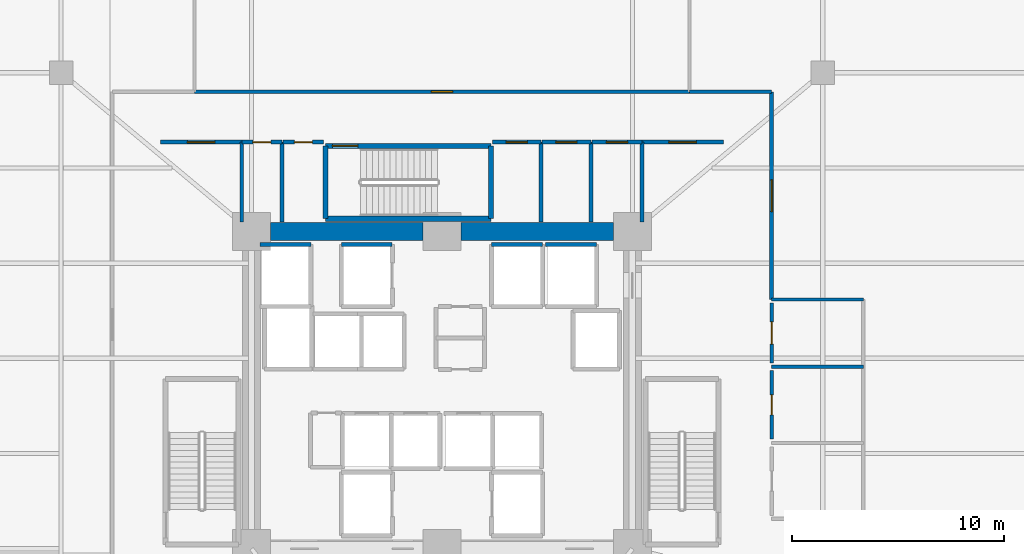
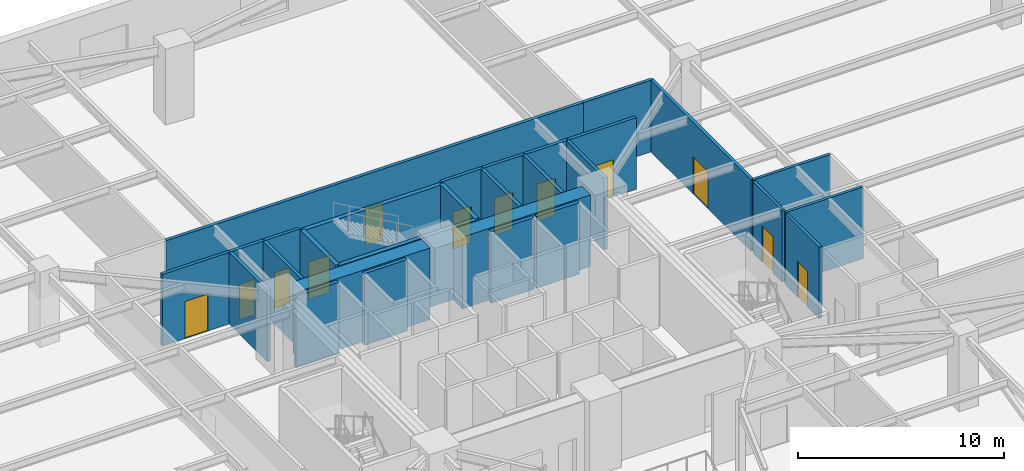
# One storey, part 10 of 19: 29 walls, 12 doors, 12 openings.
"""IFC4 building model written with IfcOpenShell, lengths in metres."""

from ifc_helpers import new_model, si_unit, direction, frame, frame_2d, origin, place, context, subcontext, project, spatial, rectangle, extrude, source, transform, mapped, material, layer, layer_set, type_object, element, fill, save


model = new_model("IFC4")

# Units and contexts
model_context = context("Model", 3, precision=1e-05, world=origin(), true_north=direction((0.0, 1.0)))
body_context = subcontext(model_context, "Body", "Model", "MODEL_VIEW")
ifc_project = project(units=[si_unit("LENGTHUNIT", "METRE"), si_unit("AREAUNIT", "SQUARE_METRE"), si_unit("VOLUMEUNIT", "CUBIC_METRE"), si_unit("PLANEANGLEUNIT", "RADIAN"), si_unit("MASSUNIT", "GRAM", prefix="KILO")], contexts=[model_context])

# Site, building, storey
site_placement = place(None, origin())
site = spatial("IfcSite", under=ifc_project, at=site_placement, CompositionType="ELEMENT")
building_placement = place(site_placement, origin())
building = spatial("IfcBuilding", under=site, at=building_placement, Name="Liaohun Quay Tower", CompositionType="ELEMENT")
storey_placement = place(building_placement, frame((0.0, 0.0, 9.89990234375)))
storey = spatial("IfcBuildingStorey", under=building, at=storey_placement, Name="L03", CompositionType="ELEMENT", Elevation=9.89990234375)

# Walls
ifc_material_1 = material(Name="Concrete C60", Category="concrete")
ifc_layer_1 = layer(ifc_material_1, 0.85009765625, Name="Concrete C60", Category="concrete")
ifc_layer_set_1 = layer_set([ifc_layer_1], Name="Concrete C60")
wall_type_1 = type_object("IfcWallType", Name="WAL-COR-Z1", PredefinedType="SHEAR", material=ifc_layer_set_1)
for number, where, z_axis, x_axis, name in (
    (1, (51.89990234375, 61.5, 0.0), (0.0, 0.0, 1.0), (1.0, 0.0, 0.0), "L03 Central Core Shear Wall N-W"),
    (2, (60.89990234375, 61.5, 0.0), (0.0, 0.0, 1.0), (1.0, 0.0, 0.0), "L03 Central Core Shear Wall N-E"),
):
    element("IfcWall", number, at=place(storey_placement, frame(where, z_axis=z_axis, x_axis=x_axis)), inside=storey, type_object=wall_type_1, Name=name, PredefinedType="SHEAR", context=body_context, shape_type="SweptSolid", body=[
        extrude(rectangle(XDim=7.2001953125, YDim=0.85009765625, at=frame_2d((3.60009765625, 0.0))), origin(), (0.0, 0.0, 1.0), 4.25),
    ])

# Wall, opening, door
ifc_material_2 = material(Name="Autoclaved aerated concrete blockwork", Category="masonry")
ifc_layer_2 = layer(ifc_material_2, 0.179931640625, Name="Autoclaved aerated concrete blockwork", Category="masonry")
ifc_layer_set_2 = layer_set([ifc_layer_2], Name="Autoclaved aerated concrete blockwork")
wall_type_2 = type_object("IfcWallType", Name="WAL-PRT-COR", PredefinedType="PARTITIONING", material=ifc_layer_set_2)
wall_1_placement = place(storey_placement, frame((50.5400390625, 65.719970703125, 0.0), z_axis=(0.0, 0.0, 1.0), x_axis=(1.0, 0.0, 0.0)))
wall_1 = element("IfcWall", 3, at=wall_1_placement, inside=storey, type_object=wall_type_2, Name="L03 Interior Partition Wall 007", PredefinedType="PARTITIONING", context=body_context, shape_type="SweptSolid", body=[
    extrude(rectangle(XDim=1.89990234375, YDim=0.179931640625, at=frame_2d((0.949951171875, 0.0))), origin(), (0.0, 0.0, 1.0), 4.25),
])
shared_shape_1 = source(origin(), body_context, "Body", "SweptSolid", [
    extrude(rectangle(XDim=0.85009765625, YDim=2.10009765625, at=frame_2d((0.425048828125, 1.050048828125))), frame((0.0, 0.099853515625, 0.0), z_axis=(0.0, -1.0, 0.0), x_axis=(1.0, 0.0, 0.0)), (0.0, 0.0, 1.0), 0.199951171875),
])
opening_1_placement = place(wall_1_placement, frame((0.52490234375, 0.0, 0.0)))
opening_1 = element("IfcOpeningElement", 4, at=opening_1_placement, cuts=wall_1, Name="Opening AD1", PredefinedType="OPENING", context=body_context, shape_type="MappedRepresentation", body=[
    mapped(shared_shape_1, transform((0.0, 0.0, 0.0), x_axis=(1.0, 0.0, 0.0), y_axis=(0.0, 1.0, 0.0), z_axis=(0.0, 0.0, 1.0), scale=1.0)),
])
ifc_material_3 = material(Name="Steel riser inspection fire door", Category="steel")
door_type_1 = type_object("IfcDoorType", Name="DOR-SHF-850", OperationType="NOTDEFINED", PredefinedType="DOOR", material=ifc_material_3)
shared_shape_2 = source(origin(), body_context, "Body", "SweptSolid", [
    extrude(rectangle(XDim=0.85009765625, YDim=2.10009765625, at=frame_2d((0.425048828125, 1.050048828125))), frame((0.0, 0.02490234375, 0.0), z_axis=(0.0, -1.0, 0.0), x_axis=(1.0, 0.0, 0.0)), (0.0, 0.0, 1.0), 0.050048828125),
])
door_1_placement = place(opening_1_placement, origin())
door_1 = element("IfcDoor", 5, at=door_1_placement, inside=storey, type_object=door_type_1, Name="L03 Podium Riser Closet Door", OperationType="SINGLE_SWING_RIGHT", OverallHeight=2.10009765625, OverallWidth=0.85009765625, PredefinedType="DOOR", context=body_context, shape_type="MappedRepresentation", body=[
    mapped(shared_shape_2, transform((0.0, 0.0, 0.0), x_axis=(1.0, 0.0, 0.0), y_axis=(0.0, 1.0, 0.0), z_axis=(0.0, 0.0, 1.0), scale=1.0)),
])
fill(opening_1, door_1)

wall_2_placement = place(storey_placement, frame((52.47998046875, 65.719970703125, 0.0), z_axis=(0.0, 0.0, 1.0), x_axis=(1.0, 0.0, 0.0)))
wall_2 = element("IfcWall", 6, at=wall_2_placement, inside=storey, type_object=wall_type_2, Name="L03 Interior Partition Wall 008", PredefinedType="PARTITIONING", context=body_context, shape_type="SweptSolid", body=[
    extrude(rectangle(XDim=1.929931640625, YDim=0.179931640625, at=frame_2d((0.96484375, 0.0))), origin(), (0.0, 0.0, 1.0), 4.25),
])
opening_2_placement = place(wall_2_placement, frame((0.5400390625, 0.0, 0.0)))
opening_2 = element("IfcOpeningElement", 7, at=opening_2_placement, cuts=wall_2, Name="Opening AD1", PredefinedType="OPENING", context=body_context, shape_type="MappedRepresentation", body=[
    mapped(shared_shape_1, transform((0.0, 0.0, 0.0), x_axis=(1.0, 0.0, 0.0), y_axis=(0.0, 1.0, 0.0), z_axis=(0.0, 0.0, 1.0), scale=1.0)),
])
door_2_placement = place(opening_2_placement, origin())
door_2 = element("IfcDoor", 8, at=door_2_placement, inside=storey, type_object=door_type_1, Name="L03 Podium Print Closet Door", OperationType="SINGLE_SWING_LEFT", OverallHeight=2.10009765625, OverallWidth=0.85009765625, PredefinedType="DOOR", context=body_context, shape_type="MappedRepresentation", body=[
    mapped(shared_shape_2, transform((0.0, 0.0, 0.0), x_axis=(1.0, 0.0, 0.0), y_axis=(0.0, 1.0, 0.0), z_axis=(0.0, 0.0, 1.0), scale=1.0)),
])
fill(opening_2, door_2)

wall_3_placement = place(storey_placement, frame((62.389892578125, 65.719970703125, 0.0), z_axis=(0.0, 0.0, 1.0), x_axis=(1.0, 0.0, 0.0)))
wall_3 = element("IfcWall", 9, at=wall_3_placement, inside=storey, type_object=wall_type_2, Name="L03 Interior Partition Wall 009", PredefinedType="PARTITIONING", context=body_context, shape_type="SweptSolid", body=[
    extrude(rectangle(XDim=2.2900390625, YDim=0.179931640625, at=frame_2d((1.14501953125, 0.0))), origin(), (0.0, 0.0, 1.0), 4.25),
])
shared_shape_3 = source(origin(), body_context, "Body", "SweptSolid", [
    extrude(rectangle(XDim=1.0, YDim=2.199951171875, at=frame_2d((0.5, 1.10009765625))), frame((0.0, 0.099853515625, 0.0), z_axis=(0.0, -1.0, 0.0), x_axis=(1.0, 0.0, 0.0)), (0.0, 0.0, 1.0), 0.199951171875),
])
opening_3_placement = place(wall_3_placement, frame((0.64501953125, 0.0, 0.0)))
opening_3 = element("IfcOpeningElement", 10, at=opening_3_placement, cuts=wall_3, Name="Opening OD1", PredefinedType="OPENING", context=body_context, shape_type="MappedRepresentation", body=[
    mapped(shared_shape_3, transform((0.0, 0.0, 0.0), x_axis=(1.0, 0.0, 0.0), y_axis=(0.0, 1.0, 0.0), z_axis=(0.0, 0.0, 1.0), scale=1.0)),
])
ifc_material_4 = material(Name="Solid-core oak veneer timber leaf in steel frame", Category="steel")
door_type_2 = type_object("IfcDoorType", Name="DOR-OFF-1000", OperationType="NOTDEFINED", PredefinedType="DOOR", material=ifc_material_4)
shared_shape_4 = source(origin(), body_context, "Body", "SweptSolid", [
    extrude(rectangle(XDim=1.0, YDim=2.199951171875, at=frame_2d((0.5, 1.10009765625))), frame((0.0, 0.02490234375, 0.0), z_axis=(0.0, -1.0, 0.0), x_axis=(1.0, 0.0, 0.0)), (0.0, 0.0, 1.0), 0.050048828125),
])
door_3_placement = place(opening_3_placement, origin())
door_3 = element("IfcDoor", 11, at=door_3_placement, inside=storey, type_object=door_type_2, Name="L03 Podium Mail Store Door", OperationType="SINGLE_SWING_RIGHT", OverallHeight=2.199951171875, OverallWidth=1.0, PredefinedType="DOOR", context=body_context, shape_type="MappedRepresentation", body=[
    mapped(shared_shape_4, transform((0.0, 0.0, 0.0), x_axis=(1.0, 0.0, 0.0), y_axis=(0.0, 1.0, 0.0), z_axis=(0.0, 0.0, 1.0), scale=1.0)),
])
fill(opening_3, door_3)

wall_4_placement = place(storey_placement, frame((64.719970703125, 65.719970703125, 0.0), z_axis=(0.0, 0.0, 1.0), x_axis=(1.0, 0.0, 0.0)))
wall_4 = element("IfcWall", 12, at=wall_4_placement, inside=storey, type_object=wall_type_2, Name="L03 Interior Partition Wall 010", PredefinedType="PARTITIONING", context=body_context, shape_type="SweptSolid", body=[
    extrude(rectangle(XDim=2.320068359375, YDim=0.179931640625, at=frame_2d((1.16015625, 0.0))), origin(), (0.0, 0.0, 1.0), 4.25),
])
opening_4_placement = place(wall_4_placement, frame((0.659912109375, 0.0, 0.0)))
opening_4 = element("IfcOpeningElement", 13, at=opening_4_placement, cuts=wall_4, Name="Opening OD1", PredefinedType="OPENING", context=body_context, shape_type="MappedRepresentation", body=[
    mapped(shared_shape_3, transform((0.0, 0.0, 0.0), x_axis=(1.0, 0.0, 0.0), y_axis=(0.0, 1.0, 0.0), z_axis=(0.0, 0.0, 1.0), scale=1.0)),
])
door_4_placement = place(opening_4_placement, origin())
door_4 = element("IfcDoor", 14, at=door_4_placement, inside=storey, type_object=door_type_2, Name="L03 Podium Comms Room Door", OperationType="SINGLE_SWING_LEFT", OverallHeight=2.199951171875, OverallWidth=1.0, PredefinedType="DOOR", context=body_context, shape_type="MappedRepresentation", body=[
    mapped(shared_shape_4, transform((0.0, 0.0, 0.0), x_axis=(1.0, 0.0, 0.0), y_axis=(0.0, 1.0, 0.0), z_axis=(0.0, 0.0, 1.0), scale=1.0)),
])
fill(opening_4, door_4)

wall_5_placement = place(storey_placement, frame((67.080078125, 65.719970703125, 0.0), z_axis=(0.0, 0.0, 1.0), x_axis=(1.0, 0.0, 0.0)))
wall_5 = element("IfcWall", 15, at=wall_5_placement, inside=storey, type_object=wall_type_2, Name="L03 Interior Partition Wall 011", PredefinedType="PARTITIONING", context=body_context, shape_type="SweptSolid", body=[
    extrude(rectangle(XDim=2.3798828125, YDim=0.179931640625, at=frame_2d((1.18994140625, 0.0))), origin(), (0.0, 0.0, 1.0), 4.25),
])
opening_5_placement = place(wall_5_placement, frame((0.68994140625, 0.0, 0.0)))
opening_5 = element("IfcOpeningElement", 16, at=opening_5_placement, cuts=wall_5, Name="Opening OD1", PredefinedType="OPENING", context=body_context, shape_type="MappedRepresentation", body=[
    mapped(shared_shape_3, transform((0.0, 0.0, 0.0), x_axis=(1.0, 0.0, 0.0), y_axis=(0.0, 1.0, 0.0), z_axis=(0.0, 0.0, 1.0), scale=1.0)),
])
door_5_placement = place(opening_5_placement, origin())
door_5 = element("IfcDoor", 17, at=door_5_placement, inside=storey, type_object=door_type_2, Name="L03 Podium Cleaner Store Door", OperationType="SINGLE_SWING_RIGHT", OverallHeight=2.199951171875, OverallWidth=1.0, PredefinedType="DOOR", context=body_context, shape_type="MappedRepresentation", body=[
    mapped(shared_shape_4, transform((0.0, 0.0, 0.0), x_axis=(1.0, 0.0, 0.0), y_axis=(0.0, 1.0, 0.0), z_axis=(0.0, 0.0, 1.0), scale=1.0)),
])
fill(opening_5, door_5)

wall_6_placement = place(storey_placement, frame((46.699951171875, 65.719970703125, 0.0), z_axis=(0.0, 0.0, 1.0), x_axis=(1.0, 0.0, 0.0)))
wall_6 = element("IfcWall", 18, at=wall_6_placement, inside=storey, type_object=wall_type_2, Name="L03 Interior Partition Wall 012", PredefinedType="PARTITIONING", context=body_context, shape_type="SweptSolid", body=[
    extrude(rectangle(XDim=3.840087890625, YDim=0.179931640625, at=frame_2d((1.919921875, 0.0))), origin(), (0.0, 0.0, 1.0), 4.25),
])
shared_shape_5 = source(origin(), body_context, "Body", "SweptSolid", [
    extrude(rectangle(XDim=1.300048828125, YDim=2.199951171875, at=frame_2d((0.64990234375, 1.10009765625))), frame((0.0, 0.099853515625, 0.0), z_axis=(0.0, -1.0, 0.0), x_axis=(1.0, 0.0, 0.0)), (0.0, 0.0, 1.0), 0.199951171875),
])
opening_6_placement = place(wall_6_placement, frame((1.27001953125, 0.0, 0.0)))
opening_6 = element("IfcOpeningElement", 19, at=opening_6_placement, cuts=wall_6, Name="Opening FD1", PredefinedType="OPENING", context=body_context, shape_type="MappedRepresentation", body=[
    mapped(shared_shape_5, transform((0.0, 0.0, 0.0), x_axis=(1.0, 0.0, 0.0), y_axis=(0.0, 1.0, 0.0), z_axis=(0.0, 0.0, 1.0), scale=1.0)),
])
ifc_material_5 = material(Name="Galvanised steel smokeproof fire door", Category="steel")
door_type_3 = type_object("IfcDoorType", Name="DOR-FFL-1300", OperationType="NOTDEFINED", PredefinedType="DOOR", material=ifc_material_5)
shared_shape_6 = source(origin(), body_context, "Body", "SweptSolid", [
    extrude(rectangle(XDim=1.300048828125, YDim=2.199951171875, at=frame_2d((0.64990234375, 1.10009765625))), frame((0.0, 0.02490234375, 0.0), z_axis=(0.0, -1.0, 0.0), x_axis=(1.0, 0.0, 0.0)), (0.0, 0.0, 1.0), 0.050048828125),
])
door_6_placement = place(opening_6_placement, origin())
door_6 = element("IfcDoor", 20, at=door_6_placement, inside=storey, type_object=door_type_3, Name="L03 Podium West Core Vestibule Door", OperationType="SINGLE_SWING_LEFT", OverallHeight=2.199951171875, OverallWidth=1.300048828125, PredefinedType="DOOR", context=body_context, shape_type="MappedRepresentation", body=[
    mapped(shared_shape_6, transform((0.0, 0.0, 0.0), x_axis=(1.0, 0.0, 0.0), y_axis=(0.0, 1.0, 0.0), z_axis=(0.0, 0.0, 1.0), scale=1.0)),
])
fill(opening_6, door_6)

wall_7_placement = place(storey_placement, frame((69.4599609375, 65.719970703125, 0.0), z_axis=(0.0, 0.0, 1.0), x_axis=(1.0, 0.0, 0.0)))
wall_7 = element("IfcWall", 21, at=wall_7_placement, inside=storey, type_object=wall_type_2, Name="L03 Interior Partition Wall 013", PredefinedType="PARTITIONING", context=body_context, shape_type="SweptSolid", body=[
    extrude(rectangle(XDim=3.840087890625, YDim=0.179931640625, at=frame_2d((1.919921875, 0.0))), origin(), (0.0, 0.0, 1.0), 4.25),
])
opening_7_placement = place(wall_7_placement, frame((1.27001953125, 0.0, 0.0)))
opening_7 = element("IfcOpeningElement", 22, at=opening_7_placement, cuts=wall_7, Name="Opening FD1", PredefinedType="OPENING", context=body_context, shape_type="MappedRepresentation", body=[
    mapped(shared_shape_5, transform((0.0, 0.0, 0.0), x_axis=(1.0, 0.0, 0.0), y_axis=(0.0, 1.0, 0.0), z_axis=(0.0, 0.0, 1.0), scale=1.0)),
])
door_7_placement = place(opening_7_placement, origin())
door_7 = element("IfcDoor", 23, at=door_7_placement, inside=storey, type_object=door_type_3, Name="L03 Podium East Core Vestibule Door", OperationType="SINGLE_SWING_RIGHT", OverallHeight=2.199951171875, OverallWidth=1.300048828125, PredefinedType="DOOR", context=body_context, shape_type="MappedRepresentation", body=[
    mapped(shared_shape_6, transform((0.0, 0.0, 0.0), x_axis=(1.0, 0.0, 0.0), y_axis=(0.0, 1.0, 0.0), z_axis=(0.0, 0.0, 1.0), scale=1.0)),
])
fill(opening_7, door_7)

wall_8_placement = place(storey_placement, frame((75.580078125, 58.280029296875, 0.0), z_axis=(0.0, 0.0, 1.0), x_axis=(0.0, 1.0, 0.0)))
wall_8 = element("IfcWall", 24, at=wall_8_placement, inside=storey, type_object=wall_type_2, Name="L03 Interior Partition Wall 019", PredefinedType="PARTITIONING", context=body_context, shape_type="SweptSolid", body=[
    extrude(rectangle(XDim=9.820068359375, YDim=0.179931640625, at=frame_2d((4.91015625, 0.0))), origin(), (0.0, 0.0, 1.0), 4.25),
])
shared_shape_7 = source(origin(), body_context, "Body", "SweptSolid", [
    extrude(rectangle(XDim=1.5, YDim=2.199951171875, at=frame_2d((0.75, 1.10009765625))), frame((0.0, 0.099853515625, 0.0), z_axis=(0.0, -1.0, 0.0), x_axis=(1.0, 0.0, 0.0)), (0.0, 0.0, 1.0), 0.199951171875),
])
opening_8_placement = place(wall_8_placement, frame((4.159912109375, 0.0, 0.0)))
opening_8 = element("IfcOpeningElement", 25, at=opening_8_placement, cuts=wall_8, Name="Opening OD2", PredefinedType="OPENING", context=body_context, shape_type="MappedRepresentation", body=[
    mapped(shared_shape_7, transform((0.0, 0.0, 0.0), x_axis=(1.0, 0.0, 0.0), y_axis=(0.0, 1.0, 0.0), z_axis=(0.0, 0.0, 1.0), scale=1.0)),
])
ifc_material_6 = material(Name="Acoustic oak veneer double door")
door_type_4 = type_object("IfcDoorType", Name="DOR-OFF-1500", OperationType="DOUBLE_DOOR_SINGLE_SWING", PredefinedType="DOOR", material=ifc_material_6)
shared_shape_8 = source(origin(), body_context, "Body", "SweptSolid", [
    extrude(rectangle(XDim=1.5, YDim=2.199951171875, at=frame_2d((0.75, 1.10009765625))), frame((0.0, 0.02490234375, 0.0), z_axis=(0.0, -1.0, 0.0), x_axis=(1.0, 0.0, 0.0)), (0.0, 0.0, 1.0), 0.050048828125),
])
door_8_placement = place(opening_8_placement, origin())
door_8 = element("IfcDoor", 26, at=door_8_placement, inside=storey, type_object=door_type_4, Name="L03 Pre-Function Exhibition Gallery Door", OperationType="DOUBLE_DOOR_SINGLE_SWING", OverallHeight=2.199951171875, OverallWidth=1.5, PredefinedType="DOOR", context=body_context, shape_type="MappedRepresentation", body=[
    mapped(shared_shape_8, transform((0.0, 0.0, 0.0), x_axis=(1.0, 0.0, 0.0), y_axis=(0.0, 1.0, 0.0), z_axis=(0.0, 0.0, 1.0), scale=1.0)),
])
fill(opening_8, door_8)

wall_9_placement = place(storey_placement, frame((48.300048828125, 68.10009765625, 0.0), z_axis=(0.0, 0.0, 1.0), x_axis=(1.0, 0.0, 0.0)))
wall_9 = element("IfcWall", 27, at=wall_9_placement, inside=storey, type_object=wall_type_2, Name="L03 Interior Partition Wall 020", PredefinedType="PARTITIONING", context=body_context, shape_type="SweptSolid", body=[
    extrude(rectangle(XDim=23.39990234375, YDim=0.179931640625, at=frame_2d((11.699951171875, 0.0))), origin(), (0.0, 0.0, 1.0), 4.25),
])
opening_9_placement = place(wall_9_placement, frame((11.199951171875, 0.0, 0.0)))
opening_9 = element("IfcOpeningElement", 28, at=opening_9_placement, cuts=wall_9, Name="Opening OD1", PredefinedType="OPENING", context=body_context, shape_type="MappedRepresentation", body=[
    mapped(shared_shape_3, transform((0.0, 0.0, 0.0), x_axis=(1.0, 0.0, 0.0), y_axis=(0.0, 1.0, 0.0), z_axis=(0.0, 0.0, 1.0), scale=1.0)),
])
door_9_placement = place(opening_9_placement, origin())
door_9 = element("IfcDoor", 29, at=door_9_placement, inside=storey, type_object=door_type_2, Name="L03 Audio-Visual Control Room Door", OperationType="SINGLE_SWING_LEFT", OverallHeight=2.199951171875, OverallWidth=1.0, PredefinedType="DOOR", context=body_context, shape_type="MappedRepresentation", body=[
    mapped(shared_shape_4, transform((0.0, 0.0, 0.0), x_axis=(1.0, 0.0, 0.0), y_axis=(0.0, 1.0, 0.0), z_axis=(0.0, 0.0, 1.0), scale=1.0)),
])
fill(opening_9, door_9)

# Walls
wall_10_placement = place(storey_placement, frame((71.699951171875, 68.10009765625, 0.0), z_axis=(0.0, 0.0, 1.0), x_axis=(1.0, 0.0, 0.0)))
element("IfcWall", 30, at=wall_10_placement, inside=storey, type_object=wall_type_2, Name="L03 Interior Partition Wall 034", PredefinedType="PARTITIONING", context=body_context, shape_type="SweptSolid", body=[
    extrude(rectangle(XDim=3.880126953125, YDim=0.179931640625, at=frame_2d((1.93994140625, 0.0))), origin(), (0.0, 0.0, 1.0), 4.25),
])
for number, where, z_axis, x_axis, name in (
    (31, (50.5400390625, 61.949951171875, 0.0), (0.0, 0.0, 1.0), (0.0, 1.0, 0.0), "L03 Interior Partition Wall 042"),
    (32, (52.43994140625, 61.949951171875, 0.0), (0.0, 0.0, 1.0), (0.0, 1.0, 0.0), "L03 Interior Partition Wall 043"),
    (33, (64.679931640625, 61.949951171875, 0.0), (0.0, 0.0, 1.0), (0.0, 1.0, 0.0), "L03 Interior Partition Wall 044"),
    (34, (67.0400390625, 61.949951171875, 0.0), (0.0, 0.0, 1.0), (0.0, 1.0, 0.0), "L03 Interior Partition Wall 045"),
    (35, (69.4599609375, 61.949951171875, 0.0), (0.0, 0.0, 1.0), (0.0, 1.0, 0.0), "L03 Interior Partition Wall 046"),
):
    element("IfcWall", number, at=place(storey_placement, frame(where, z_axis=z_axis, x_axis=x_axis)), inside=storey, type_object=wall_type_2, Name=name, PredefinedType="PARTITIONING", context=body_context, shape_type="SweptSolid", body=[
        extrude(rectangle(XDim=3.77001953125, YDim=0.179931640625, at=frame_2d((1.885009765625, 0.0))), origin(), (0.0, 0.0, 1.0), 4.25),
    ])

# Wall, opening, door
ifc_material_7 = material(Name="Moisture-resistant masonry blockwork", Category="masonry")
ifc_layer_3 = layer(ifc_material_7, 0.159912109375, Name="Moisture-resistant masonry blockwork", Category="masonry")
ifc_layer_set_3 = layer_set([ifc_layer_3], Name="Moisture-resistant masonry blockwork")
wall_type_3 = type_object("IfcWallType", Name="WAL-PRT-WET", PredefinedType="PARTITIONING", material=ifc_layer_set_3)
wall_11_placement = place(storey_placement, frame((75.580078125, 51.679931640625, 0.0), z_axis=(0.0, 0.0, 1.0), x_axis=(0.0, 1.0, 0.0)))
wall_11 = element("IfcWall", 36, at=wall_11_placement, inside=storey, type_object=wall_type_3, Name="L03 Interior Partition Wall 005", PredefinedType="PARTITIONING", context=body_context, shape_type="SweptSolid", body=[
    extrude(rectangle(XDim=3.239990234375, YDim=0.159912109375, at=frame_2d((1.6201171875, 0.0))), origin(), (0.0, 0.0, 1.0), 4.25),
])
shared_shape_9 = source(origin(), body_context, "Body", "SweptSolid", [
    extrude(rectangle(XDim=0.949951171875, YDim=2.14990234375, at=frame_2d((0.47509765625, 1.074951171875))), frame((0.0, 0.08984375, 0.0), z_axis=(0.0, -1.0, 0.0), x_axis=(1.0, 0.0, 0.0)), (0.0, 0.0, 1.0), 0.179931640625),
])
opening_10_placement = place(wall_11_placement, frame((1.14501953125, 0.0, 0.0)))
opening_10 = element("IfcOpeningElement", 37, at=opening_10_placement, cuts=wall_11, Name="Opening WD1", PredefinedType="OPENING", context=body_context, shape_type="MappedRepresentation", body=[
    mapped(shared_shape_9, transform((0.0, 0.0, 0.0), x_axis=(1.0, 0.0, 0.0), y_axis=(0.0, 1.0, 0.0), z_axis=(0.0, 0.0, 1.0), scale=1.0)),
])
ifc_material_8 = material(Name="Moisture-resistant laminate timber leaf", Category="wood")
door_type_5 = type_object("IfcDoorType", Name="DOR-WC-950", OperationType="NOTDEFINED", PredefinedType="DOOR", material=ifc_material_8)
shared_shape_10 = source(origin(), body_context, "Body", "SweptSolid", [
    extrude(rectangle(XDim=0.949951171875, YDim=2.14990234375, at=frame_2d((0.47509765625, 1.074951171875))), frame((0.0, 0.02490234375, 0.0), z_axis=(0.0, -1.0, 0.0), x_axis=(1.0, 0.0, 0.0)), (0.0, 0.0, 1.0), 0.050048828125),
])
door_10_placement = place(opening_10_placement, origin())
door_10 = element("IfcDoor", 38, at=door_10_placement, inside=storey, type_object=door_type_5, Name="L03 Podium Female Restroom WC Door", OperationType="SINGLE_SWING_RIGHT", OverallHeight=2.14990234375, OverallWidth=0.949951171875, PredefinedType="DOOR", context=body_context, shape_type="MappedRepresentation", body=[
    mapped(shared_shape_10, transform((0.0, 0.0, 0.0), x_axis=(1.0, 0.0, 0.0), y_axis=(0.0, 1.0, 0.0), z_axis=(0.0, 0.0, 1.0), scale=1.0)),
])
fill(opening_10, door_10)

wall_12_placement = place(storey_placement, frame((75.580078125, 55.280029296875, 0.0), z_axis=(0.0, 0.0, 1.0), x_axis=(0.0, 1.0, 0.0)))
wall_12 = element("IfcWall", 39, at=wall_12_placement, inside=storey, type_object=wall_type_3, Name="L03 Interior Partition Wall 006", PredefinedType="PARTITIONING", context=body_context, shape_type="SweptSolid", body=[
    extrude(rectangle(XDim=2.840087890625, YDim=0.159912109375, at=frame_2d((1.419921875, 0.0))), origin(), (0.0, 0.0, 1.0), 4.25),
])
shared_shape_11 = source(origin(), body_context, "Body", "SweptSolid", [
    extrude(rectangle(XDim=1.050048828125, YDim=2.14990234375, at=frame_2d((0.52490234375, 1.074951171875))), frame((0.0, 0.08984375, 0.0), z_axis=(0.0, -1.0, 0.0), x_axis=(1.0, 0.0, 0.0)), (0.0, 0.0, 1.0), 0.179931640625),
])
opening_11_placement = place(wall_12_placement, frame((0.89501953125, 0.0, 0.0)))
opening_11 = element("IfcOpeningElement", 40, at=opening_11_placement, cuts=wall_12, Name="Opening WD2", PredefinedType="OPENING", context=body_context, shape_type="MappedRepresentation", body=[
    mapped(shared_shape_11, transform((0.0, 0.0, 0.0), x_axis=(1.0, 0.0, 0.0), y_axis=(0.0, 1.0, 0.0), z_axis=(0.0, 0.0, 1.0), scale=1.0)),
])
ifc_material_9 = material(Name="Accessible outward-swinging laminate door")
door_type_6 = type_object("IfcDoorType", Name="DOR-AWC-1050", OperationType="NOTDEFINED", PredefinedType="DOOR", material=ifc_material_9)
shared_shape_12 = source(origin(), body_context, "Body", "SweptSolid", [
    extrude(rectangle(XDim=1.050048828125, YDim=2.14990234375, at=frame_2d((0.52490234375, 1.074951171875))), frame((0.0, 0.02490234375, 0.0), z_axis=(0.0, -1.0, 0.0), x_axis=(1.0, 0.0, 0.0)), (0.0, 0.0, 1.0), 0.050048828125),
])
door_11_placement = place(opening_11_placement, origin())
door_11 = element("IfcDoor", 41, at=door_11_placement, inside=storey, type_object=door_type_6, Name="L03 Podium Accessible WC Door", OperationType="SINGLE_SWING_LEFT", OverallHeight=2.14990234375, OverallWidth=1.050048828125, PredefinedType="DOOR", context=body_context, shape_type="MappedRepresentation", body=[
    mapped(shared_shape_12, transform((0.0, 0.0, 0.0), x_axis=(1.0, 0.0, 0.0), y_axis=(0.0, 1.0, 0.0), z_axis=(0.0, 0.0, 1.0), scale=1.0)),
])
fill(opening_11, door_11)

# Walls
for number, where, z_axis, x_axis, name in (
    (42, (75.580078125, 55.10009765625, 0.0), (0.0, 0.0, 1.0), (1.0, 0.0, 0.0), "L03 Interior Partition Wall 029"),
    (43, (75.580078125, 58.280029296875, 0.0), (0.0, 0.0, 1.0), (1.0, 0.0, 0.0), "L03 Interior Partition Wall 030"),
):
    element("IfcWall", number, at=place(storey_placement, frame(where, z_axis=z_axis, x_axis=x_axis)), inside=storey, type_object=wall_type_3, Name=name, PredefinedType="PARTITIONING", context=body_context, shape_type="SweptSolid", body=[
        extrude(rectangle(XDim=4.33984375, YDim=0.159912109375, at=frame_2d((2.169921875, 0.0))), origin(), (0.0, 0.0, 1.0), 4.25),
    ])
ifc_material_10 = material(Name="Concrete C50", Category="concrete")
ifc_layer_4 = layer(ifc_material_10, 0.239990234375, Name="Concrete C50", Category="concrete")
ifc_layer_set_4 = layer_set([ifc_layer_4], Name="Concrete C50")
wall_type_4 = type_object("IfcWallType", Name="WAL-SHF-200", PredefinedType="SOLIDWALL", material=ifc_layer_set_4)
wall_13_placement = place(storey_placement, frame((54.5, 62.10009765625, 0.0), z_axis=(0.0, 0.0, 1.0), x_axis=(1.0, 0.0, 0.0)))
element("IfcWall", 44, at=wall_13_placement, inside=storey, type_object=wall_type_4, Name="L03 Stairwell ST-3 Structural Core Wall S", PredefinedType="SOLIDWALL", context=body_context, shape_type="SweptSolid", body=[
    extrude(rectangle(XDim=7.820068359375, YDim=0.239990234375, at=frame_2d((3.91015625, 0.0))), origin(), (0.0, 0.0, 1.0), 4.25),
])
wall_14_placement = place(storey_placement, frame((62.320068359375, 62.10009765625, 0.0), z_axis=(0.0, 0.0, 1.0), x_axis=(0.0, 1.0, 0.0)))
element("IfcWall", 45, at=wall_14_placement, inside=storey, type_object=wall_type_4, Name="L03 Stairwell ST-3 Structural Core Wall E", PredefinedType="SOLIDWALL", context=body_context, shape_type="SweptSolid", body=[
    extrude(rectangle(XDim=3.43994140625, YDim=0.239990234375, at=frame_2d((1.719970703125, 0.0))), origin(), (0.0, 0.0, 1.0), 4.25),
])

# Wall, opening, door
wall_15_placement = place(storey_placement, frame((62.320068359375, 65.5400390625, 0.0), z_axis=(0.0, 0.0, 1.0), x_axis=(-1.0, 0.0, 0.0)))
wall_15 = element("IfcWall", 46, at=wall_15_placement, inside=storey, type_object=wall_type_4, Name="L03 Stairwell ST-3 Structural Core Wall N", PredefinedType="SOLIDWALL", context=body_context, shape_type="SweptSolid", body=[
    extrude(rectangle(XDim=7.820068359375, YDim=0.239990234375, at=frame_2d((3.91015625, 0.0))), origin(), (0.0, 0.0, 1.0), 4.25),
])
shared_shape_13 = source(origin(), body_context, "Body", "SweptSolid", [
    extrude(rectangle(XDim=1.199951171875, YDim=2.199951171875, at=frame_2d((0.60009765625, 1.10009765625))), frame((0.0, 0.1298828125, 0.0), z_axis=(0.0, -1.0, 0.0), x_axis=(1.0, 0.0, 0.0)), (0.0, 0.0, 1.0), 0.260009765625),
])
opening_12_placement = place(wall_15_placement, frame((6.300048828125, 0.0, 0.0)))
opening_12 = element("IfcOpeningElement", 47, at=opening_12_placement, cuts=wall_15, Name="Opening SD1", PredefinedType="OPENING", context=body_context, shape_type="MappedRepresentation", body=[
    mapped(shared_shape_13, transform((0.0, 0.0, 0.0), x_axis=(1.0, 0.0, 0.0), y_axis=(0.0, 1.0, 0.0), z_axis=(0.0, 0.0, 1.0), scale=1.0)),
])
ifc_material_11 = material(Name="Galvanised steel fire door", Category="steel")
door_type_7 = type_object("IfcDoorType", Name="DOR-STR-1200", OperationType="NOTDEFINED", PredefinedType="DOOR", material=ifc_material_11)
shared_shape_14 = source(origin(), body_context, "Body", "SweptSolid", [
    extrude(rectangle(XDim=1.199951171875, YDim=2.199951171875, at=frame_2d((0.60009765625, 1.10009765625))), frame((0.0, 0.02490234375, 0.0), z_axis=(0.0, -1.0, 0.0), x_axis=(1.0, 0.0, 0.0)), (0.0, 0.0, 1.0), 0.050048828125),
])
door_12_placement = place(opening_12_placement, origin())
door_12 = element("IfcDoor", 48, at=door_12_placement, inside=storey, type_object=door_type_7, Name="L03 Protected Stair ST-3 Fire Door", OperationType="SINGLE_SWING_RIGHT", OverallHeight=2.199951171875, OverallWidth=1.199951171875, PredefinedType="DOOR", context=body_context, shape_type="MappedRepresentation", body=[
    mapped(shared_shape_14, transform((0.0, 0.0, 0.0), x_axis=(1.0, 0.0, 0.0), y_axis=(0.0, 1.0, 0.0), z_axis=(0.0, 0.0, 1.0), scale=1.0)),
])
fill(opening_12, door_12)

# Walls
wall_16_placement = place(storey_placement, frame((54.5, 65.5400390625, 0.0), z_axis=(0.0, 0.0, 1.0), x_axis=(0.0, -1.0, 0.0)))
element("IfcWall", 49, at=wall_16_placement, inside=storey, type_object=wall_type_4, Name="L03 Stairwell ST-3 Structural Core Wall W", PredefinedType="SOLIDWALL", context=body_context, shape_type="SweptSolid", body=[
    extrude(rectangle(XDim=3.43994140625, YDim=0.239990234375, at=frame_2d((1.719970703125, 0.0))), origin(), (0.0, 0.0, 1.0), 4.25),
])
for number, where, z_axis, x_axis, name in (
    (50, (57.64990234375, 60.8798828125, 0.0), (0.0, 0.0, 1.0), (-1.0, 0.0, 0.0), "L03 Lift FF-03 Hoistway Wall N"),
    (51, (64.75, 60.8798828125, 0.0), (0.0, 0.0, 1.0), (-1.0, 0.0, 0.0), "L03 Lift OB-01 Hoistway Wall N"),
):
    element("IfcWall", number, at=place(storey_placement, frame(where, z_axis=z_axis, x_axis=x_axis)), inside=storey, type_object=wall_type_4, Name=name, PredefinedType="SOLIDWALL", context=body_context, shape_type="SweptSolid", body=[
        extrude(rectangle(XDim=2.39990234375, YDim=0.199951171875, at=frame_2d((1.199951171875, 0.0))), origin(), (0.0, 0.0, 1.0), 4.25),
    ])
for number, where, z_axis, x_axis, name in (
    (52, (67.300048828125, 60.8798828125, 0.0), (0.0, 0.0, 1.0), (-1.0, 0.0, 0.0), "L03 Lift OB-02 Hoistway Wall N"),
    (53, (53.800048828125, 60.8798828125, 0.0), (0.0, 0.0, 1.0), (-1.0, 0.0, 0.0), "L03 Lift SH-01 Hoistway Wall N"),
):
    element("IfcWall", number, at=place(storey_placement, frame(where, z_axis=z_axis, x_axis=x_axis)), inside=storey, type_object=wall_type_4, Name=name, PredefinedType="SOLIDWALL", context=body_context, shape_type="SweptSolid", body=[
        extrude(rectangle(XDim=2.400146484375, YDim=0.199951171875, at=frame_2d((1.2001953125, 0.0))), origin(), (0.0, 0.0, 1.0), 4.25),
    ])

save(model, "model.ifc")
